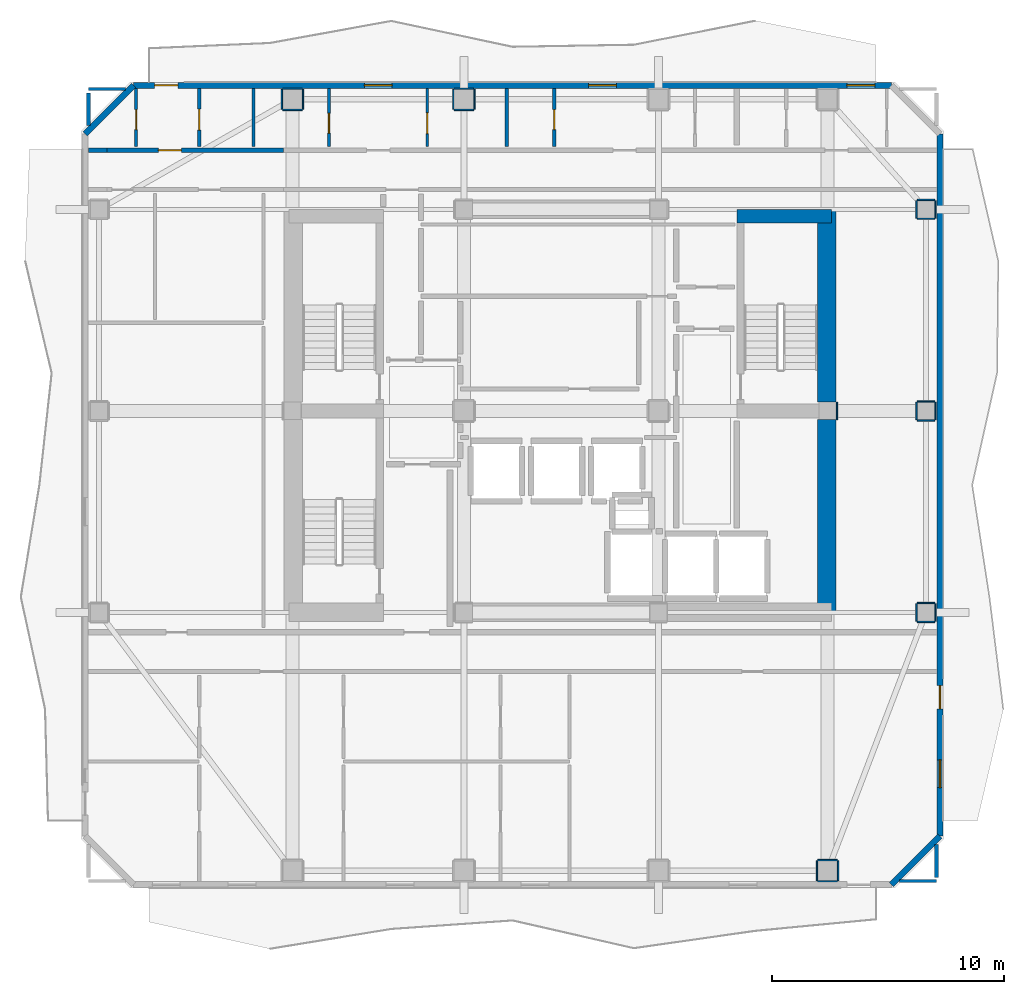
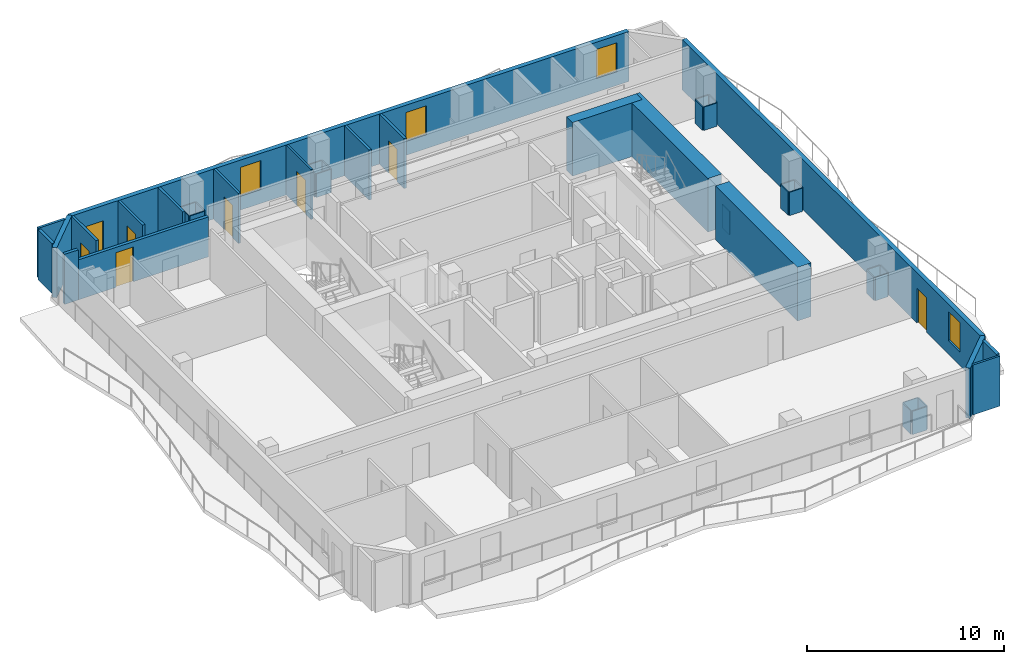
# One storey, part 5 of 10: 45 walls, 8 doors, 4 windows, 12 openings.
"""IFC4 building model written with IfcOpenShell, lengths in metres."""

from ifc_helpers import new_model, si_unit, direction, frame, frame_2d, origin, place, context, subcontext, project, spatial, rectangle, extrude, material, layer, layer_set, type_object, element, fill, save


model = new_model("IFC4")

# Units and contexts
model_context = context("Model", 3, precision=1e-05, world=origin(), true_north=direction((0.0, 1.0)))
body_context = subcontext(model_context, "Body", "Model", "MODEL_VIEW")
ifc_project = project(units=[si_unit("LENGTHUNIT", "METRE"), si_unit("AREAUNIT", "SQUARE_METRE"), si_unit("VOLUMEUNIT", "CUBIC_METRE"), si_unit("PLANEANGLEUNIT", "RADIAN"), si_unit("MASSUNIT", "GRAM", prefix="KILO")], contexts=[model_context])

# Site, building, storey
site_placement = place(None, origin())
site = spatial("IfcSite", under=ifc_project, at=site_placement, CompositionType="ELEMENT")
building_placement = place(site_placement, origin())
building = spatial("IfcBuilding", under=site, at=building_placement, Name="Solanera Arch Residences", CompositionType="ELEMENT")
storey_placement = place(building_placement, frame((0.0, 0.0, 203.43994140625)))
storey = spatial("IfcBuildingStorey", under=building, at=storey_placement, Name="L59", CompositionType="ELEMENT", Elevation=203.43994140625)

# Walls
ifc_material_1 = material(Name="Fire-Rated Gypsum Stud Partition", Category="gypsum")
ifc_layer_1 = layer(ifc_material_1, 0.06005859375)
ifc_layer_set_1 = layer_set([ifc_layer_1], Name="Fire-Rated Gypsum Stud Partition")
wall_type_1 = type_object("IfcWallType", Name="Column Acoustic Furring Wall 60", PredefinedType="PARTITIONING", material=ifc_layer_set_1)
wall_1_placement = place(storey_placement, frame((36.906982421875, 30.324951171875, 0.0), z_axis=(0.0, 0.0, 1.0), x_axis=(0.0, 1.0, 0.0)))
element("IfcWall", 1, at=wall_1_placement, inside=storey, type_object=wall_type_1, Name="L59 Column Furring 6E", PredefinedType="PARTITIONING", context=body_context, shape_type="SweptSolid", body=[
    extrude(rectangle(XDim=0.75, YDim=0.06005859375, at=frame_2d((0.375, 0.0))), origin(), (0.0, 0.0, 1.0), 1.449951171875),
])
for number, where, z_axis, x_axis, name in (
    (2, (12.97509765625, 43.693115234375, 0.0), (0.0, 0.0, 1.0), (1.0, 0.0, 0.0), "L59 Column Furring 10S"),
    (3, (12.97509765625, 44.60693359375, 0.0), (0.0, 0.0, 1.0), (1.0, 0.0, 0.0), "L59 Column Furring 10N"),
    (4, (12.943115234375, 43.72509765625, 0.0), (0.0, 0.0, 1.0), (0.0, 1.0, 0.0), "L59 Column Furring 10W"),
    (5, (13.85693359375, 43.72509765625, 0.0), (0.0, 0.0, 1.0), (0.0, 1.0, 0.0), "L59 Column Furring 10E"),
):
    element("IfcWall", number, at=place(storey_placement, frame(where, z_axis=z_axis, x_axis=x_axis)), inside=storey, type_object=wall_type_1, Name=name, PredefinedType="PARTITIONING", context=body_context, shape_type="SweptSolid", body=[
        extrude(rectangle(XDim=0.849853515625, YDim=0.06005859375, at=frame_2d((0.4248046875, 0.0))), origin(), (0.0, 0.0, 1.0), 1.449951171875),
    ])
for number, where, z_axis, x_axis, name in (
    (6, (20.375, 43.693115234375, 0.0), (0.0, 0.0, 1.0), (1.0, 0.0, 0.0), "L59 Column Furring 12S"),
    (7, (20.375, 44.60693359375, 0.0), (0.0, 0.0, 1.0), (1.0, 0.0, 0.0), "L59 Column Furring 12N"),
):
    element("IfcWall", number, at=place(storey_placement, frame(where, z_axis=z_axis, x_axis=x_axis)), inside=storey, type_object=wall_type_1, Name=name, PredefinedType="PARTITIONING", context=body_context, shape_type="SweptSolid", body=[
        extrude(rectangle(XDim=0.85009765625, YDim=0.06005859375, at=frame_2d((0.425048828125, 0.0))), origin(), (0.0, 0.0, 1.0), 1.449951171875),
    ])
for number, where, z_axis, x_axis, name in (
    (8, (20.343017578125, 43.72509765625, 0.0), (0.0, 0.0, 1.0), (0.0, 1.0, 0.0), "L59 Column Furring 12W"),
    (9, (21.257080078125, 43.72509765625, 0.0), (0.0, 0.0, 1.0), (0.0, 1.0, 0.0), "L59 Column Furring 12E"),
):
    element("IfcWall", number, at=place(storey_placement, frame(where, z_axis=z_axis, x_axis=x_axis)), inside=storey, type_object=wall_type_1, Name=name, PredefinedType="PARTITIONING", context=body_context, shape_type="SweptSolid", body=[
        extrude(rectangle(XDim=0.849853515625, YDim=0.06005859375, at=frame_2d((0.4248046875, 0.0))), origin(), (0.0, 0.0, 1.0), 1.449951171875),
    ])
for number, where, z_axis, x_axis, name in (
    (10, (36.074951171875, 10.39306640625, 0.0), (0.0, 0.0, 1.0), (1.0, 0.0, 0.0), "L59 Column Furring 15S"),
    (11, (36.074951171875, 11.306884765625, 0.0), (0.0, 0.0, 1.0), (1.0, 0.0, 0.0), "L59 Column Furring 15N"),
):
    element("IfcWall", number, at=place(storey_placement, frame(where, z_axis=z_axis, x_axis=x_axis)), inside=storey, type_object=wall_type_1, Name=name, PredefinedType="PARTITIONING", context=body_context, shape_type="SweptSolid", body=[
        extrude(rectangle(XDim=0.85009765625, YDim=0.06005859375, at=frame_2d((0.425048828125, 0.0))), origin(), (0.0, 0.0, 1.0), 1.449951171875),
    ])
for number, where, z_axis, x_axis, name in (
    (12, (36.04296875, 10.425048828125, 0.0), (0.0, 0.0, 1.0), (0.0, 1.0, 0.0), "L59 Column Furring 15W"),
    (13, (36.95703125, 10.425048828125, 0.0), (0.0, 0.0, 1.0), (0.0, 1.0, 0.0), "L59 Column Furring 15E"),
):
    element("IfcWall", number, at=place(storey_placement, frame(where, z_axis=z_axis, x_axis=x_axis)), inside=storey, type_object=wall_type_1, Name=name, PredefinedType="PARTITIONING", context=body_context, shape_type="SweptSolid", body=[
        extrude(rectangle(XDim=0.849853515625, YDim=0.06005859375, at=frame_2d((0.4248046875, 0.0))), origin(), (0.0, 0.0, 1.0), 1.449951171875),
    ])
for number, where, z_axis, x_axis, name in (
    (14, (40.375, 21.593017578125, 0.0), (0.0, 0.0, 1.0), (1.0, 0.0, 0.0), "L59 Column Furring 18S"),
    (15, (40.375, 22.406982421875, 0.0), (0.0, 0.0, 1.0), (1.0, 0.0, 0.0), "L59 Column Furring 18N"),
    (16, (40.343017578125, 21.625, 0.0), (0.0, 0.0, 1.0), (0.0, 1.0, 0.0), "L59 Column Furring 18W"),
    (17, (41.156982421875, 21.625, 0.0), (0.0, 0.0, 1.0), (0.0, 1.0, 0.0), "L59 Column Furring 18E"),
    (18, (40.375, 30.29296875, 0.0), (0.0, 0.0, 1.0), (1.0, 0.0, 0.0), "L59 Column Furring 20S"),
    (19, (40.375, 31.10693359375, 0.0), (0.0, 0.0, 1.0), (1.0, 0.0, 0.0), "L59 Column Furring 20N"),
    (20, (40.343017578125, 30.324951171875, 0.0), (0.0, 0.0, 1.0), (0.0, 1.0, 0.0), "L59 Column Furring 20W"),
    (21, (41.156982421875, 30.324951171875, 0.0), (0.0, 0.0, 1.0), (0.0, 1.0, 0.0), "L59 Column Furring 20E"),
    (22, (40.375, 38.992919921875, 0.0), (0.0, 0.0, 1.0), (1.0, 0.0, 0.0), "L59 Column Furring 22S"),
    (23, (40.375, 39.806884765625, 0.0), (0.0, 0.0, 1.0), (1.0, 0.0, 0.0), "L59 Column Furring 22N"),
    (24, (40.343017578125, 39.02490234375, 0.0), (0.0, 0.0, 1.0), (0.0, 1.0, 0.0), "L59 Column Furring 22W"),
    (25, (41.156982421875, 39.02490234375, 0.0), (0.0, 0.0, 1.0), (0.0, 1.0, 0.0), "L59 Column Furring 22E"),
):
    element("IfcWall", number, at=place(storey_placement, frame(where, z_axis=z_axis, x_axis=x_axis)), inside=storey, type_object=wall_type_1, Name=name, PredefinedType="PARTITIONING", context=body_context, shape_type="SweptSolid", body=[
        extrude(rectangle(XDim=0.75, YDim=0.06005859375, at=frame_2d((0.375, 0.0))), origin(), (0.0, 0.0, 1.0), 1.449951171875),
    ])
ifc_material_2 = material(Name="Concrete C40/50 (f'c = 45 MPa)", Category="concrete")
ifc_layer_2 = layer(ifc_material_2, 0.60009765625)
ifc_layer_set_2 = layer_set([ifc_layer_2], Name="Concrete C40/50 (f'c = 45 MPa)")
wall_type_2 = type_object("IfcWallType", Name="Core Shear Wall CW-600", PredefinedType="SHEAR", material=ifc_layer_set_2)
wall_2_placement = place(storey_placement, frame((32.580078125, 39.10009765625, 0.0), z_axis=(0.0, 0.0, 1.0), x_axis=(1.0, 0.0, 0.0)))
element("IfcWall", 26, at=wall_2_placement, inside=storey, type_object=wall_type_2, Name="L59 North-East Core Shear Wall", PredefinedType="SHEAR", context=body_context, shape_type="SweptSolid", body=[
    extrude(rectangle(XDim=4.079833984375, YDim=0.60009765625, at=frame_2d((2.0400390625, 0.0))), origin(), (0.0, 0.0, 1.0), 3.320068359375),
])
ifc_material_3 = material(Name="Concrete C40/50 (f'c = 45 MPa)", Category="concrete")
ifc_layer_3 = layer(ifc_material_3, 0.800048828125)
ifc_layer_set_3 = layer_set([ifc_layer_3], Name="Concrete C40/50 (f'c = 45 MPa)")
wall_type_3 = type_object("IfcWallType", Name="Core Shear Wall CW-800", PredefinedType="SHEAR", material=ifc_layer_set_3)
wall_3_placement = place(storey_placement, frame((36.4599609375, 22.0, 0.0), z_axis=(0.0, 0.0, 1.0), x_axis=(0.0, 1.0, 0.0)))
element("IfcWall", 27, at=wall_3_placement, inside=storey, type_object=wall_type_3, Name="L59 East Core South Shear Wall", PredefinedType="SHEAR", context=body_context, shape_type="SweptSolid", body=[
    extrude(rectangle(XDim=8.320068359375, YDim=0.800048828125, at=frame_2d((4.16015625, 0.0))), origin(), (0.0, 0.0, 1.0), 3.320068359375),
])
wall_4_placement = place(storey_placement, frame((36.4599609375, 31.080078125, 0.0), z_axis=(0.0, 0.0, 1.0), x_axis=(0.0, 1.0, 0.0)))
element("IfcWall", 28, at=wall_4_placement, inside=storey, type_object=wall_type_3, Name="L59 East Core North Shear Wall", PredefinedType="SHEAR", context=body_context, shape_type="SweptSolid", body=[
    extrude(rectangle(XDim=8.31982421875, YDim=0.800048828125, at=frame_2d((4.159912109375, 0.0))), origin(), (0.0, 0.0, 1.0), 3.320068359375),
])
ifc_material_4 = material(Name="Autoclaved Aerated Concrete Blockwork", Category="masonry")
ifc_layer_4 = layer(ifc_material_4, 0.179931640625)
ifc_layer_set_4 = layer_set([ifc_layer_4], Name="Autoclaved Aerated Concrete Blockwork")
wall_type_4 = type_object("IfcWallType", Name="Corridor Fire Partition 180", PredefinedType="PARTITIONING", material=ifc_layer_set_4)
wall_5_placement = place(storey_placement, frame((4.5869140625, 41.949951171875, 0.0), z_axis=(0.0, 0.0, 1.0), x_axis=(1.0, 0.0, 0.0)))
element("IfcWall", 29, at=wall_5_placement, inside=storey, type_object=wall_type_4, Name="L59 Interior Partition H12 1", PredefinedType="PARTITIONING", context=body_context, shape_type="SweptSolid", body=[
    extrude(rectangle(XDim=0.801025390625, YDim=0.179931640625, at=frame_2d((0.400390625, 0.0))), origin(), (0.0, 0.0, 1.0), 3.10009765625),
])

# Wall, opening, door
wall_6_placement = place(storey_placement, frame((5.387939453125, 41.949951171875, 0.0), z_axis=(0.0, 0.0, 1.0), x_axis=(1.0, 0.0, 0.0)))
wall_6 = element("IfcWall", 30, at=wall_6_placement, inside=storey, type_object=wall_type_4, Name="L59 Interior Partition H12 2", PredefinedType="PARTITIONING", context=body_context, shape_type="SweptSolid", body=[
    extrude(rectangle(XDim=7.6240234375, YDim=0.179931640625, at=frame_2d((3.81201171875, 0.0))), origin(), (0.0, 0.0, 1.0), 2.47705078125),
])
opening_1_placement = place(wall_6_placement, frame((2.221923828125, 0.0, 0.0)))
opening_1 = element("IfcOpeningElement", 31, at=opening_1_placement, cuts=wall_6, Name="Opening DI-01", PredefinedType="OPENING", context=body_context, shape_type="SweptSolid", body=[
    extrude(rectangle(XDim=1.0, YDim=2.14990234375, at=frame_2d((0.5, 1.074951171875))), frame((0.0, 0.10009765625, 0.0), z_axis=(0.0, -1.0, 0.0), x_axis=(1.0, 0.0, 0.0)), (0.0, 0.0, 1.0), 0.1999),
])
ifc_material_5 = material(Name="Fire-Rated Architectural Hardwood", Category="wood")
door_type_1 = type_object("IfcDoorType", Name="Unit Entrance Fire Door DI-01", OperationType="NOTDEFINED", PredefinedType="DOOR", material=ifc_material_5)
door_1_placement = place(opening_1_placement, origin())
door_1 = element("IfcDoor", 32, at=door_1_placement, inside=storey, type_object=door_type_1, Name="DR-L59-IN-022", OperationType="SINGLE_SWING_LEFT", OverallHeight=2.14990234375, OverallWidth=1.0, PredefinedType="DOOR", context=body_context, shape_type="SweptSolid", body=[
    extrude(rectangle(XDim=1.0, YDim=2.14990234375, at=frame_2d((0.5, 1.074951171875))), frame((0.0, 0.02490234375, 0.0), z_axis=(0.0, -1.0, 0.0), x_axis=(1.0, 0.0, 0.0)), (0.0, 0.0, 1.0), 0.050048828125),
])
fill(opening_1, door_1)

# Walls
wall_7_placement = place(storey_placement, frame((4.60009765625, 43.010986328125, 0.0), z_axis=(0.0, 0.0, 1.0), x_axis=(0.0, 1.0, 0.0)))
element("IfcWall", 33, at=wall_7_placement, inside=storey, type_object=wall_type_4, Name="L59 Interior Partition V8 2", PredefinedType="PARTITIONING", context=body_context, shape_type="SweptSolid", body=[
    extrude(rectangle(XDim=1.4208984375, YDim=0.179931640625, at=frame_2d((0.71044921875, 0.0))), origin(), (0.0, 0.0, 1.0), 3.10009765625),
])
wall_8_placement = place(storey_placement, frame((41.199951171875, 10.55810546875, 0.0), z_axis=(0.0, 0.0, 1.0), x_axis=(0.0, 1.0, 0.0)))
element("IfcWall", 34, at=wall_8_placement, inside=storey, type_object=wall_type_4, Name="L59 Interior Partition V10", PredefinedType="PARTITIONING", context=body_context, shape_type="SweptSolid", body=[
    extrude(rectangle(XDim=1.430908203125, YDim=0.179931640625, at=frame_2d((0.71533203125, 0.0))), origin(), (0.0, 0.0, 1.0), 3.10009765625),
])
ifc_material_6 = material(Name="Precast Concrete C35/45", Category="concrete")
ifc_layer_5 = layer(ifc_material_6, 0.260009765625)
ifc_layer_set_5 = layer_set([ifc_layer_5], Name="Precast Concrete C35/45")
wall_type_5 = type_object("IfcWallType", Name="Exterior Wall Precast Masonry-Frame 260", PredefinedType="STANDARD", material=ifc_layer_set_5)
wall_9_placement = place(storey_placement, frame((4.445068359375, 42.655029296875, 0.0), z_axis=(0.0, 0.0, 1.0), x_axis=(0.707106781187, 0.707106781187, 0.0)))
element("IfcWall", 35, at=wall_9_placement, inside=storey, type_object=wall_type_5, Name="L59 Tower Exterior Precast Masonry-Frame Wall CH1", PredefinedType="STANDARD", context=body_context, shape_type="SweptSolid", body=[
    extrude(rectangle(XDim=2.9697265625, YDim=0.260009765625, at=frame_2d((1.48486328125, 0.0))), origin(), (0.0, 0.0, 1.0), 3.10009765625),
])

# Wall, openings, door, windows
wall_10_placement = place(storey_placement, frame((6.544921875, 44.7548828125, 0.0), z_axis=(0.0, 0.0, 1.0), x_axis=(1.0, 0.0, 0.0)))
wall_10 = element("IfcWall", 36, at=wall_10_placement, inside=storey, type_object=wall_type_5, Name="L59 Tower Exterior Precast Masonry-Frame Wall N", PredefinedType="STANDARD", context=body_context, shape_type="SweptSolid", body=[
    extrude(rectangle(XDim=32.7099609375, YDim=0.260009765625, at=frame_2d((16.35498046875, 0.0))), origin(), (0.0, 0.0, 1.0), 3.10009765625),
])
opening_2_placement = place(wall_10_placement, frame((0.906982421875, 0.0, 0.0)))
opening_2 = element("IfcOpeningElement", 37, at=opening_2_placement, cuts=wall_10, Name="Opening DB-01", PredefinedType="OPENING", context=body_context, shape_type="SweptSolid", body=[
    extrude(rectangle(XDim=1.0, YDim=2.14990234375, at=frame_2d((0.5, 1.074951171875))), frame((0.0, 0.139892578125, 0.0), z_axis=(0.0, -1.0, 0.0), x_axis=(1.0, 0.0, 0.0)), (0.0, 0.0, 1.0), 0.28),
])
opening_3_placement = place(wall_10_placement, frame((9.955078125, 0.0, 0.85009765625)))
opening_3 = element("IfcOpeningElement", 38, at=opening_3_placement, cuts=wall_10, Name="Opening W-01", PredefinedType="OPENING", context=body_context, shape_type="SweptSolid", body=[
    extrude(rectangle(XDim=1.199951171875, YDim=1.800048828125, at=frame_2d((0.60009765625, 0.89990234375))), frame((0.0, 0.139892578125, 0.0), z_axis=(0.0, -1.0, 0.0), x_axis=(1.0, 0.0, 0.0)), (0.0, 0.0, 1.0), 0.28),
])
opening_4_placement = place(wall_10_placement, frame((19.64111328125, 0.0, 0.85009765625)))
opening_4 = element("IfcOpeningElement", 39, at=opening_4_placement, cuts=wall_10, Name="Opening W-01", PredefinedType="OPENING", context=body_context, shape_type="SweptSolid", body=[
    extrude(rectangle(XDim=1.199951171875, YDim=1.800048828125, at=frame_2d((0.60009765625, 0.89990234375))), frame((0.0, 0.139892578125, 0.0), z_axis=(0.0, -1.0, 0.0), x_axis=(1.0, 0.0, 0.0)), (0.0, 0.0, 1.0), 0.28),
])
opening_5_placement = place(wall_10_placement, frame((30.7919921875, 0.0, 0.85009765625)))
opening_5 = element("IfcOpeningElement", 40, at=opening_5_placement, cuts=wall_10, Name="Opening W-01", PredefinedType="OPENING", context=body_context, shape_type="SweptSolid", body=[
    extrude(rectangle(XDim=1.199951171875, YDim=1.800048828125, at=frame_2d((0.60009765625, 0.89990234375))), frame((0.0, 0.139892578125, 0.0), z_axis=(0.0, -1.0, 0.0), x_axis=(1.0, 0.0, 0.0)), (0.0, 0.0, 1.0), 0.28),
])
ifc_material_7 = material(Name="Anodised Aluminium Alloy 6063-T6", Category="aluminium")
door_type_2 = type_object("IfcDoorType", Name="Glazed Balcony Swing Door DB-01", OperationType="NOTDEFINED", PredefinedType="DOOR", material=ifc_material_7)
door_2_placement = place(opening_2_placement, origin())
door_2 = element("IfcDoor", 41, at=door_2_placement, inside=storey, type_object=door_type_2, Name="DR-L59-OUT-02", OperationType="SINGLE_SWING_RIGHT", OverallHeight=2.14990234375, OverallWidth=1.0, PredefinedType="DOOR", context=body_context, shape_type="SweptSolid", body=[
    extrude(rectangle(XDim=1.0, YDim=2.14990234375, at=frame_2d((0.5, 1.074951171875))), frame((0.0, 0.02490234375, 0.0), z_axis=(0.0, -1.0, 0.0), x_axis=(1.0, 0.0, 0.0)), (0.0, 0.0, 1.0), 0.050048828125),
])
fill(opening_2, door_2)
ifc_material_8 = material(Name="Double Glazed Low-E Laminated Glass", Category="glass")
window_type = type_object("IfcWindowType", Name="Punched Window W-01", PartitioningType="SINGLE_PANEL", PredefinedType="WINDOW", material=ifc_material_8)
window_1_placement = place(opening_3_placement, origin())
window_1 = element("IfcWindow", 42, at=window_1_placement, inside=storey, type_object=window_type, Name="L59 5903-LIV Punched Window", OverallHeight=1.800048828125, OverallWidth=1.199951171875, PartitioningType="SINGLE_PANEL", PredefinedType="WINDOW", context=body_context, shape_type="SweptSolid", body=[
    extrude(rectangle(XDim=1.199951171875, YDim=1.800048828125, at=frame_2d((0.60009765625, 0.89990234375))), frame((0.0, 0.030029296875, 0.0), z_axis=(0.0, -1.0, 0.0), x_axis=(1.0, 0.0, 0.0)), (0.0, 0.0, 1.0), 0.06005859375),
])
fill(opening_3, window_1)
window_2_placement = place(opening_4_placement, origin())
window_2 = element("IfcWindow", 43, at=window_2_placement, inside=storey, type_object=window_type, Name="L59 5904-LIV Punched Window", OverallHeight=1.800048828125, OverallWidth=1.199951171875, PartitioningType="SINGLE_PANEL", PredefinedType="WINDOW", context=body_context, shape_type="SweptSolid", body=[
    extrude(rectangle(XDim=1.199951171875, YDim=1.800048828125, at=frame_2d((0.60009765625, 0.89990234375))), frame((0.0, 0.030029296875, 0.0), z_axis=(0.0, -1.0, 0.0), x_axis=(1.0, 0.0, 0.0)), (0.0, 0.0, 1.0), 0.06005859375),
])
fill(opening_4, window_2)
window_3_placement = place(opening_5_placement, origin())
window_3 = element("IfcWindow", 44, at=window_3_placement, inside=storey, type_object=window_type, Name="L59 5905-LIV Punched Window", OverallHeight=1.800048828125, OverallWidth=1.199951171875, PartitioningType="SINGLE_PANEL", PredefinedType="WINDOW", context=body_context, shape_type="SweptSolid", body=[
    extrude(rectangle(XDim=1.199951171875, YDim=1.800048828125, at=frame_2d((0.60009765625, 0.89990234375))), frame((0.0, 0.030029296875, 0.0), z_axis=(0.0, -1.0, 0.0), x_axis=(1.0, 0.0, 0.0)), (0.0, 0.0, 1.0), 0.06005859375),
])
fill(opening_5, window_3)

# Wall, openings, door, window
wall_11_placement = place(storey_placement, frame((41.35498046875, 42.655029296875, 0.0), z_axis=(0.0, 0.0, 1.0), x_axis=(0.0, -1.0, 0.0)))
wall_11 = element("IfcWall", 45, at=wall_11_placement, inside=storey, type_object=wall_type_5, Name="L59 Tower Exterior Precast Masonry-Frame Wall E", PredefinedType="STANDARD", context=body_context, shape_type="SweptSolid", body=[
    extrude(rectangle(XDim=30.31005859375, YDim=0.260009765625, at=frame_2d((15.155029296875, 0.0))), origin(), (0.0, 0.0, 1.0), 3.10009765625),
])
opening_6_placement = place(wall_11_placement, frame((23.818115234375, 0.0, 0.0)))
opening_6 = element("IfcOpeningElement", 46, at=opening_6_placement, cuts=wall_11, Name="Opening DB-01", PredefinedType="OPENING", context=body_context, shape_type="SweptSolid", body=[
    extrude(rectangle(XDim=1.0, YDim=2.14990234375, at=frame_2d((0.5, 1.074951171875))), frame((0.0, 0.139892578125, 0.0), z_axis=(0.0, -1.0, 0.0), x_axis=(1.0, 0.0, 0.0)), (0.0, 0.0, 1.0), 0.28),
])
opening_7_placement = place(wall_11_placement, frame((27.01904296875, 0.0, 0.85009765625)))
opening_7 = element("IfcOpeningElement", 47, at=opening_7_placement, cuts=wall_11, Name="Opening W-01", PredefinedType="OPENING", context=body_context, shape_type="SweptSolid", body=[
    extrude(rectangle(XDim=1.199951171875, YDim=1.800048828125, at=frame_2d((0.60009765625, 0.89990234375))), frame((0.0, 0.139892578125, 0.0), z_axis=(0.0, -1.0, 0.0), x_axis=(1.0, 0.0, 0.0)), (0.0, 0.0, 1.0), 0.28),
])
door_3_placement = place(opening_6_placement, origin())
door_3 = element("IfcDoor", 48, at=door_3_placement, inside=storey, type_object=door_type_2, Name="DR-L59-OUT-03", OperationType="SINGLE_SWING_LEFT", OverallHeight=2.14990234375, OverallWidth=1.0, PredefinedType="DOOR", context=body_context, shape_type="SweptSolid", body=[
    extrude(rectangle(XDim=1.0, YDim=2.14990234375, at=frame_2d((0.5, 1.074951171875))), frame((0.0, 0.02490234375, 0.0), z_axis=(0.0, -1.0, 0.0), x_axis=(1.0, 0.0, 0.0)), (0.0, 0.0, 1.0), 0.050048828125),
])
fill(opening_6, door_3)
window_4_placement = place(opening_7_placement, origin())
window_4 = element("IfcWindow", 49, at=window_4_placement, inside=storey, type_object=window_type, Name="L59 AMN-LNG Punched Window", OverallHeight=1.800048828125, OverallWidth=1.199951171875, PartitioningType="SINGLE_PANEL", PredefinedType="WINDOW", context=body_context, shape_type="SweptSolid", body=[
    extrude(rectangle(XDim=1.199951171875, YDim=1.800048828125, at=frame_2d((0.60009765625, 0.89990234375))), frame((0.0, 0.030029296875, 0.0), z_axis=(0.0, -1.0, 0.0), x_axis=(1.0, 0.0, 0.0)), (0.0, 0.0, 1.0), 0.06005859375),
])
fill(opening_7, window_4)

# Walls
wall_12_placement = place(storey_placement, frame((41.35498046875, 12.344970703125, 0.0), z_axis=(0.0, 0.0, 1.0), x_axis=(-0.707147883682, -0.707065676302, 0.0)))
element("IfcWall", 50, at=wall_12_placement, inside=storey, type_object=wall_type_5, Name="L59 Tower Exterior Precast Masonry-Frame Wall CH5", PredefinedType="STANDARD", context=body_context, shape_type="SweptSolid", body=[
    extrude(rectangle(XDim=2.9697265625, YDim=0.260009765625, at=frame_2d((1.48486328125, 0.0))), origin(), (0.0, 0.0, 1.0), 3.10009765625),
])
ifc_material_9 = material(Name="Fire-Rated Gypsum Stud Partition", Category="gypsum")
ifc_layer_6 = layer(ifc_material_9, 0.1201171875)
ifc_layer_set_6 = layer_set([ifc_layer_6], Name="Fire-Rated Gypsum Stud Partition")
wall_type_6 = type_object("IfcWallType", Name="Unit Drywall Partition 120", PredefinedType="PARTITIONING", material=ifc_layer_set_6)
wall_13_placement = place(storey_placement, frame((39.611083984375, 10.39990234375, 0.0), z_axis=(0.0, 0.0, 1.0), x_axis=(1.0, 0.0, 0.0)))
element("IfcWall", 51, at=wall_13_placement, inside=storey, type_object=wall_type_6, Name="L59 Interior Partition H17 2", PredefinedType="PARTITIONING", context=body_context, shape_type="SweptSolid", body=[
    extrude(rectangle(XDim=1.5888671875, YDim=0.1201171875, at=frame_2d((0.79443359375, 0.0))), origin(), (0.0, 0.0, 1.0), 3.10009765625),
])

# Wall, opening, door
wall_14_placement = place(storey_placement, frame((19.219970703125, 42.10791015625, 0.0), z_axis=(0.0, 0.0, 1.0), x_axis=(0.0, 1.0, 0.0)))
wall_14 = element("IfcWall", 52, at=wall_14_placement, inside=storey, type_object=wall_type_6, Name="L59 Interior Partition V23", PredefinedType="PARTITIONING", context=body_context, shape_type="SweptSolid", body=[
    extrude(rectangle(XDim=2.505126953125, YDim=0.1201171875, at=frame_2d((1.25244140625, 0.0))), origin(), (0.0, 0.0, 1.0), 3.10009765625),
])
opening_8_placement = place(wall_14_placement, frame((0.556884765625, 0.0, 0.0)))
opening_8 = element("IfcOpeningElement", 53, at=opening_8_placement, cuts=wall_14, Name="Opening DI-02", PredefinedType="OPENING", context=body_context, shape_type="SweptSolid", body=[
    extrude(rectangle(XDim=0.89990234375, YDim=2.10009765625, at=frame_2d((0.449951171875, 1.050048828125))), frame((0.0, 0.070068359375, 0.0), z_axis=(0.0, -1.0, 0.0), x_axis=(1.0, 0.0, 0.0)), (0.0, 0.0, 1.0), 0.1401),
])
ifc_material_10 = material(Name="Fire-Rated Architectural Hardwood", Category="wood")
door_type_3 = type_object("IfcDoorType", Name="Suite Room Swing Door DI-02", OperationType="NOTDEFINED", PredefinedType="DOOR", material=ifc_material_10)
door_4_placement = place(opening_8_placement, origin())
door_4 = element("IfcDoor", 54, at=door_4_placement, inside=storey, type_object=door_type_3, Name="DR-L59-IN-027", OperationType="SINGLE_SWING_RIGHT", OverallHeight=2.10009765625, OverallWidth=0.89990234375, PredefinedType="DOOR", context=body_context, shape_type="SweptSolid", body=[
    extrude(rectangle(XDim=0.89990234375, YDim=2.10009765625, at=frame_2d((0.449951171875, 1.050048828125))), frame((0.0, 0.02490234375, 0.0), z_axis=(0.0, -1.0, 0.0), x_axis=(1.0, 0.0, 0.0)), (0.0, 0.0, 1.0), 0.050048828125),
])
fill(opening_8, door_4)

# Wall
ifc_material_11 = material(Name="Autoclaved Aerated Concrete Blockwork", Category="masonry")
ifc_layer_7 = layer(ifc_material_11, 0.139892578125)
ifc_layer_set_7 = layer_set([ifc_layer_7], Name="Autoclaved Aerated Concrete Blockwork")
wall_type_7 = type_object("IfcWallType", Name="Wet-Room Partition 140", PredefinedType="PARTITIONING", material=ifc_layer_set_7)
wall_15_placement = place(storey_placement, frame((4.60009765625, 44.60009765625, 0.0), z_axis=(0.0, 0.0, 1.0), x_axis=(1.0, 0.0, 0.0)))
element("IfcWall", 55, at=wall_15_placement, inside=storey, type_object=wall_type_7, Name="L59 Interior Partition H16 1", PredefinedType="PARTITIONING", context=body_context, shape_type="SweptSolid", body=[
    extrude(rectangle(XDim=1.5888671875, YDim=0.139892578125, at=frame_2d((0.79443359375, 0.0))), origin(), (0.0, 0.0, 1.0), 3.10009765625),
])

# Wall, opening, door
wall_16_placement = place(storey_placement, frame((6.64990234375, 42.117919921875, 0.0), z_axis=(0.0, 0.0, 1.0), x_axis=(0.0, 1.0, 0.0)))
wall_16 = element("IfcWall", 56, at=wall_16_placement, inside=storey, type_object=wall_type_7, Name="L59 Interior Partition V12", PredefinedType="PARTITIONING", context=body_context, shape_type="SweptSolid", body=[
    extrude(rectangle(XDim=2.4951171875, YDim=0.139892578125, at=frame_2d((1.24755859375, 0.0))), origin(), (0.0, 0.0, 1.0), 3.10009765625),
])
opening_9_placement = place(wall_16_placement, frame((0.72705078125, 0.0, 0.0)))
opening_9 = element("IfcOpeningElement", 57, at=opening_9_placement, cuts=wall_16, Name="Opening DI-05", PredefinedType="OPENING", context=body_context, shape_type="SweptSolid", body=[
    extrude(rectangle(XDim=0.860107421875, YDim=2.02001953125, at=frame_2d((0.43017578125, 1.010009765625))), frame((0.0, 0.079833984375, 0.0), z_axis=(0.0, -1.0, 0.0), x_axis=(1.0, 0.0, 0.0)), (0.0, 0.0, 1.0), 0.1599),
])
ifc_material_12 = material(Name="Fire-Rated Architectural Hardwood", Category="wood")
door_type_4 = type_object("IfcDoorType", Name="Bathroom Swing Door DI-05", OperationType="NOTDEFINED", PredefinedType="DOOR", material=ifc_material_12)
door_5_placement = place(opening_9_placement, origin())
door_5 = element("IfcDoor", 58, at=door_5_placement, inside=storey, type_object=door_type_4, Name="DR-L59-IN-023", OperationType="SINGLE_SWING_RIGHT", OverallHeight=2.02001953125, OverallWidth=0.860107421875, PredefinedType="DOOR", context=body_context, shape_type="SweptSolid", body=[
    extrude(rectangle(XDim=0.860107421875, YDim=2.02001953125, at=frame_2d((0.43017578125, 1.010009765625))), frame((0.0, 0.02490234375, 0.0), z_axis=(0.0, -1.0, 0.0), x_axis=(1.0, 0.0, 0.0)), (0.0, 0.0, 1.0), 0.050048828125),
])
fill(opening_9, door_5)

wall_17_placement = place(storey_placement, frame((9.375, 42.117919921875, 0.0), z_axis=(0.0, 0.0, 1.0), x_axis=(0.0, 1.0, 0.0)))
wall_17 = element("IfcWall", 59, at=wall_17_placement, inside=storey, type_object=wall_type_7, Name="L59 Interior Partition V15", PredefinedType="PARTITIONING", context=body_context, shape_type="SweptSolid", body=[
    extrude(rectangle(XDim=2.4951171875, YDim=0.139892578125, at=frame_2d((1.24755859375, 0.0))), origin(), (0.0, 0.0, 1.0), 3.10009765625),
])
opening_10_placement = place(wall_17_placement, frame((0.70703125, 0.0, 0.0)))
opening_10 = element("IfcOpeningElement", 60, at=opening_10_placement, cuts=wall_17, Name="Opening DI-02", PredefinedType="OPENING", context=body_context, shape_type="SweptSolid", body=[
    extrude(rectangle(XDim=0.89990234375, YDim=2.10009765625, at=frame_2d((0.449951171875, 1.050048828125))), frame((0.0, 0.079833984375, 0.0), z_axis=(0.0, -1.0, 0.0), x_axis=(1.0, 0.0, 0.0)), (0.0, 0.0, 1.0), 0.1599),
])
door_6_placement = place(opening_10_placement, origin())
door_6 = element("IfcDoor", 61, at=door_6_placement, inside=storey, type_object=door_type_3, Name="DR-L59-IN-024", OperationType="SINGLE_SWING_LEFT", OverallHeight=2.10009765625, OverallWidth=0.89990234375, PredefinedType="DOOR", context=body_context, shape_type="SweptSolid", body=[
    extrude(rectangle(XDim=0.89990234375, YDim=2.10009765625, at=frame_2d((0.449951171875, 1.050048828125))), frame((0.0, 0.02490234375, 0.0), z_axis=(0.0, -1.0, 0.0), x_axis=(1.0, 0.0, 0.0)), (0.0, 0.0, 1.0), 0.050048828125),
])
fill(opening_10, door_6)

# Wall
wall_18_placement = place(storey_placement, frame((11.719970703125, 42.117919921875, 0.0), z_axis=(0.0, 0.0, 1.0), x_axis=(0.0, 1.0, 0.0)))
element("IfcWall", 62, at=wall_18_placement, inside=storey, type_object=wall_type_7, Name="L59 Interior Partition V16", PredefinedType="PARTITIONING", context=body_context, shape_type="SweptSolid", body=[
    extrude(rectangle(XDim=2.4951171875, YDim=0.139892578125, at=frame_2d((1.24755859375, 0.0))), origin(), (0.0, 0.0, 1.0), 3.10009765625),
])

# Wall, opening, door
wall_19_placement = place(storey_placement, frame((14.97998046875, 42.117919921875, 0.0), z_axis=(0.0, 0.0, 1.0), x_axis=(0.0, 1.0, 0.0)))
wall_19 = element("IfcWall", 63, at=wall_19_placement, inside=storey, type_object=wall_type_7, Name="L59 Interior Partition V18", PredefinedType="PARTITIONING", context=body_context, shape_type="SweptSolid", body=[
    extrude(rectangle(XDim=2.4951171875, YDim=0.139892578125, at=frame_2d((1.24755859375, 0.0))), origin(), (0.0, 0.0, 1.0), 3.10009765625),
])
opening_11_placement = place(wall_19_placement, frame((0.56689453125, 0.0, 0.0)))
opening_11 = element("IfcOpeningElement", 64, at=opening_11_placement, cuts=wall_19, Name="Opening DI-05", PredefinedType="OPENING", context=body_context, shape_type="SweptSolid", body=[
    extrude(rectangle(XDim=0.860107421875, YDim=2.02001953125, at=frame_2d((0.43017578125, 1.010009765625))), frame((0.0, 0.079833984375, 0.0), z_axis=(0.0, -1.0, 0.0), x_axis=(1.0, 0.0, 0.0)), (0.0, 0.0, 1.0), 0.1599),
])
door_7_placement = place(opening_11_placement, origin())
door_7 = element("IfcDoor", 65, at=door_7_placement, inside=storey, type_object=door_type_4, Name="DR-L59-IN-026", OperationType="SINGLE_SWING_LEFT", OverallHeight=2.02001953125, OverallWidth=0.860107421875, PredefinedType="DOOR", context=body_context, shape_type="SweptSolid", body=[
    extrude(rectangle(XDim=0.860107421875, YDim=2.02001953125, at=frame_2d((0.43017578125, 1.010009765625))), frame((0.0, 0.02490234375, 0.0), z_axis=(0.0, -1.0, 0.0), x_axis=(1.0, 0.0, 0.0)), (0.0, 0.0, 1.0), 0.050048828125),
])
fill(opening_11, door_7)

# Wall
wall_20_placement = place(storey_placement, frame((22.64794921875, 42.117919921875, 0.0), z_axis=(0.0, 0.0, 1.0), x_axis=(0.0, 1.0, 0.0)))
element("IfcWall", 66, at=wall_20_placement, inside=storey, type_object=wall_type_7, Name="L59 Interior Partition V19", PredefinedType="PARTITIONING", context=body_context, shape_type="SweptSolid", body=[
    extrude(rectangle(XDim=2.4951171875, YDim=0.139892578125, at=frame_2d((1.24755859375, 0.0))), origin(), (0.0, 0.0, 1.0), 3.10009765625),
])

# Wall, opening, door
wall_21_placement = place(storey_placement, frame((24.697998046875, 42.117919921875, 0.0), z_axis=(0.0, 0.0, 1.0), x_axis=(0.0, 1.0, 0.0)))
wall_21 = element("IfcWall", 67, at=wall_21_placement, inside=storey, type_object=wall_type_7, Name="L59 Interior Partition V20", PredefinedType="PARTITIONING", context=body_context, shape_type="SweptSolid", body=[
    extrude(rectangle(XDim=2.4951171875, YDim=0.139892578125, at=frame_2d((1.24755859375, 0.0))), origin(), (0.0, 0.0, 1.0), 3.10009765625),
])
opening_12_placement = place(wall_21_placement, frame((0.72705078125, 0.0, 0.0)))
opening_12 = element("IfcOpeningElement", 68, at=opening_12_placement, cuts=wall_21, Name="Opening DI-05", PredefinedType="OPENING", context=body_context, shape_type="SweptSolid", body=[
    extrude(rectangle(XDim=0.860107421875, YDim=2.02001953125, at=frame_2d((0.43017578125, 1.010009765625))), frame((0.0, 0.079833984375, 0.0), z_axis=(0.0, -1.0, 0.0), x_axis=(1.0, 0.0, 0.0)), (0.0, 0.0, 1.0), 0.1599),
])
door_8_placement = place(opening_12_placement, origin())
door_8 = element("IfcDoor", 69, at=door_8_placement, inside=storey, type_object=door_type_4, Name="DR-L59-IN-029", OperationType="SINGLE_SWING_RIGHT", OverallHeight=2.02001953125, OverallWidth=0.860107421875, PredefinedType="DOOR", context=body_context, shape_type="SweptSolid", body=[
    extrude(rectangle(XDim=0.860107421875, YDim=2.02001953125, at=frame_2d((0.43017578125, 1.010009765625))), frame((0.0, 0.02490234375, 0.0), z_axis=(0.0, -1.0, 0.0), x_axis=(1.0, 0.0, 0.0)), (0.0, 0.0, 1.0), 0.050048828125),
])
fill(opening_12, door_8)

save(model, "model.ifc")
